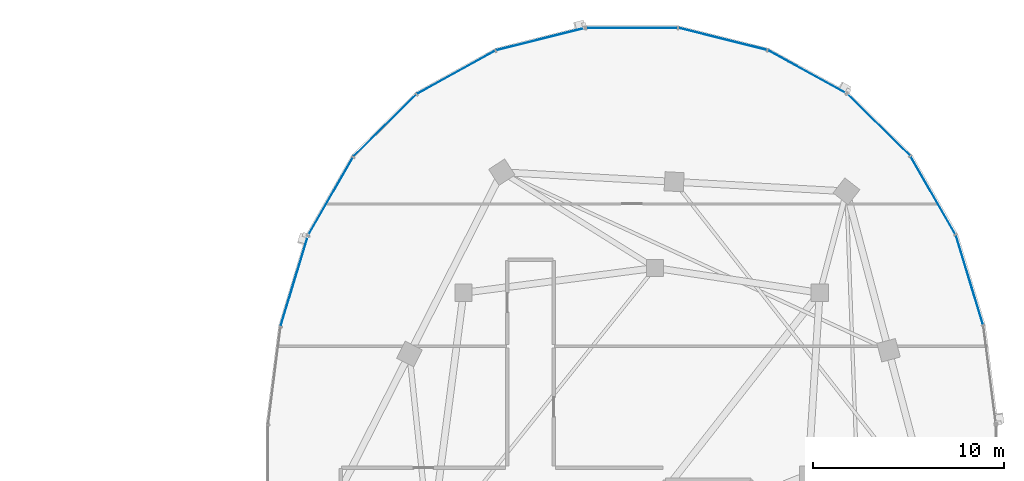
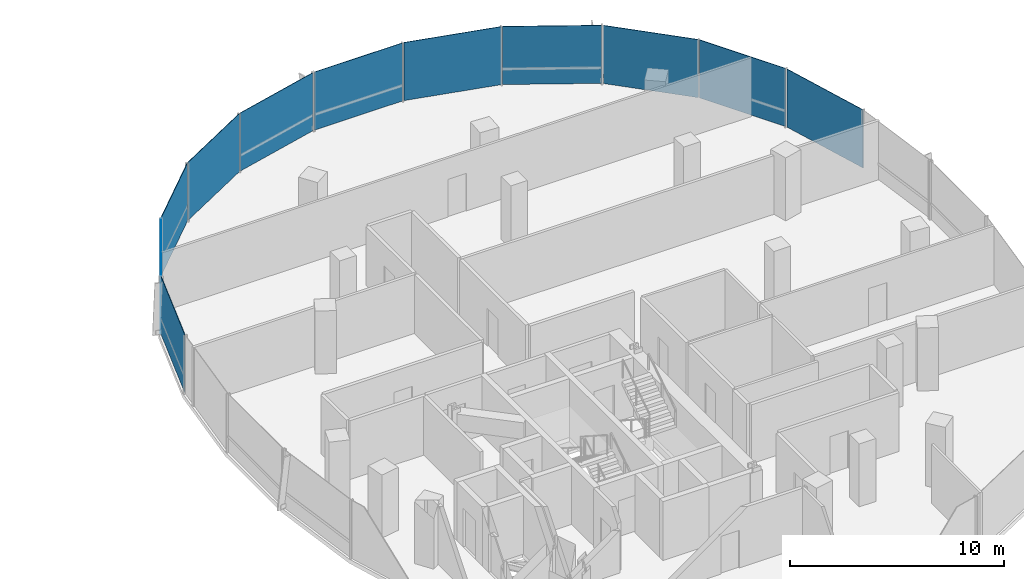
# One storey, part 11 of 23: 11 plates, 2 elements without a shape of their own.
"""IFC4 building model written with IfcOpenShell, lengths in metres."""

from ifc_helpers import new_model, si_unit, direction, frame, origin, origin_2d, place, context, subcontext, project, spatial, rectangle, extrude, material, layer, layer_set, type_object, element, aggregate, save


model = new_model("IFC4")

# Units and contexts
model_context = context("Model", 3, precision=1e-05, world=origin(), true_north=direction((0.0, 1.0)))
body_context = subcontext(model_context, "Body", "Model", "MODEL_VIEW")
ifc_project = project(units=[si_unit("LENGTHUNIT", "METRE"), si_unit("AREAUNIT", "SQUARE_METRE"), si_unit("VOLUMEUNIT", "CUBIC_METRE"), si_unit("PLANEANGLEUNIT", "RADIAN"), si_unit("MASSUNIT", "GRAM", prefix="KILO"), si_unit("THERMODYNAMICTEMPERATUREUNIT", "KELVIN"), si_unit("POWERUNIT", "WATT")], contexts=[model_context])

# Site, building, storey
site_placement = place(None, origin())
site = spatial("IfcSite", under=ifc_project, at=site_placement, CompositionType="ELEMENT")
building_placement = place(site_placement, origin())
building = spatial("IfcBuilding", under=site, at=building_placement, Name="Cundina Bronze Exchange", CompositionType="ELEMENT")
storey_placement = place(building_placement, frame((0.0, 0.0, 176.39990234375)))
storey = spatial("IfcBuildingStorey", under=building, at=storey_placement, Name="L46", CompositionType="ELEMENT", Elevation=176.39990234375)

# Curtain wall, plates
ifc_material_1 = material(Name="Anodised Bronze Aluminium 6063-T6", Category="aluminium")
curtain_wall_type = type_object("IfcCurtainWallType", Name="CWS-WST-PIN", PredefinedType="NOTDEFINED", material=ifc_material_1)
curtain_wall_1_placement = place(storey_placement, origin())
curtain_wall_1 = element("IfcCurtainWall", 1, at=curtain_wall_1_placement, inside=storey, type_object=curtain_wall_type, Name="L46 CW-04 Curtain Wall Run CWR-L46-E1", PredefinedType="NOTDEFINED")
ifc_material_2 = material(Name="Heat-Strengthened Solar-Control Bronze Safety Glass 28mm", Category="glass")
ifc_layer_1 = layer(ifc_material_2, 0.028076171875, Name="Heat-Strengthened Solar-Control Bronze Safety Glass 28mm", Category="glass")
ifc_layer_set_1 = layer_set([ifc_layer_1], Name="Heat-Strengthened Solar-Control Bronze Safety Glass 28mm")
plate_type_1 = type_object("IfcPlateType", Name="PLT-GLZ-VIS28", PredefinedType="CURTAIN_PANEL", material=ifc_layer_set_1)
plate_1_placement = place(storey_placement, frame((49.63330078125, 10.14208984375, 0.02001953125), z_axis=(0.0, 0.0, 1.0), x_axis=(-0.290050843957, 0.957011237092, 0.0)))
plate_1 = element("IfcPlate", 2, at=plate_1_placement, type_object=plate_type_1, Name="CW-04 Glazed Panel 2", PredefinedType="CURTAIN_PANEL", context=body_context, shape_type="SweptSolid", body=[
    extrude(rectangle(XDim=4.885009765625, YDim=0.028076171875, at=origin_2d()), origin(), (0.0, 0.0, 1.0), 3.320068359375),
])
plate_2_placement = place(storey_placement, frame((47.734375, 14.564697265625, 0.02001953125), z_axis=(0.0, 0.0, 1.0), x_axis=(-0.498487739754, 0.866896748936, 0.0)))
plate_2 = element("IfcPlate", 3, at=plate_2_placement, type_object=plate_type_1, Name="CW-04 Glazed Panel 3", PredefinedType="CURTAIN_PANEL", context=body_context, shape_type="SweptSolid", body=[
    extrude(rectangle(XDim=4.676513671875, YDim=0.028076171875, at=origin_2d()), origin(), (0.0, 0.0, 1.0), 3.320068359375),
])
plate_3_placement = place(storey_placement, frame((41.16845703125, 21.02880859375, 0.02001953125), z_axis=(0.0, 0.0, 1.0), x_axis=(-0.875869093438, 0.482548786301, 0.0)))
plate_3 = element("IfcPlate", 4, at=plate_3_placement, type_object=plate_type_1, Name="CW-04 Glazed Panel 5", PredefinedType="CURTAIN_PANEL", context=body_context, shape_type="SweptSolid", body=[
    extrude(rectangle(XDim=4.661865234375, YDim=0.028076171875, at=origin_2d()), origin(), (0.0, 0.0, 1.0), 3.320068359375),
])
plate_4_placement = place(storey_placement, frame((36.76513671875, 22.75244140625, 0.02001953125), z_axis=(0.0, 0.0, 1.0), x_axis=(-0.970092713791, 0.242734683656, 0.0)))
plate_4 = element("IfcPlate", 5, at=plate_4_placement, type_object=plate_type_1, Name="CW-04 Glazed Panel 6", PredefinedType="CURTAIN_PANEL", context=body_context, shape_type="SweptSolid", body=[
    extrude(rectangle(XDim=4.7548828125, YDim=0.028076171875, at=origin_2d()), origin(), (0.0, 0.0, 1.0), 3.320068359375),
])
plate_5_placement = place(storey_placement, frame((32.0, 23.3369140625, 0.02001953125), z_axis=(0.0, 0.0, 1.0), x_axis=(-1.0, 0.0, 0.0)))
plate_5 = element("IfcPlate", 6, at=plate_5_placement, type_object=plate_type_1, Name="CW-04 Glazed Panel 7", PredefinedType="CURTAIN_PANEL", context=body_context, shape_type="SweptSolid", body=[
    extrude(rectangle(XDim=4.7958984375, YDim=0.028076171875, at=origin_2d()), origin(), (0.0, 0.0, 1.0), 3.320068359375),
])

curtain_wall_2_placement = place(storey_placement, origin())
curtain_wall_2 = element("IfcCurtainWall", 7, at=curtain_wall_2_placement, inside=storey, type_object=curtain_wall_type, Name="L46 CW-04 Curtain Wall Run CWR-L46-E2", PredefinedType="NOTDEFINED")
plate_6_placement = place(storey_placement, frame((27.23486328125, 22.75244140625, 0.02001953125), z_axis=(0.0, 0.0, 1.0), x_axis=(-0.970092713791, -0.242734683656, 0.0)))
plate_6 = element("IfcPlate", 8, at=plate_6_placement, type_object=plate_type_1, Name="CW-04 Glazed Panel 1", PredefinedType="CURTAIN_PANEL", context=body_context, shape_type="SweptSolid", body=[
    extrude(rectangle(XDim=4.7548828125, YDim=0.028076171875, at=origin_2d()), origin(), (0.0, 0.0, 1.0), 3.320068359375),
])
plate_7_placement = place(storey_placement, frame((22.83154296875, 21.02880859375, 0.02001953125), z_axis=(0.0, 0.0, 1.0), x_axis=(-0.875869093438, -0.482548786301, 0.0)))
plate_7 = element("IfcPlate", 9, at=plate_7_placement, type_object=plate_type_1, Name="CW-04 Glazed Panel 2", PredefinedType="CURTAIN_PANEL", context=body_context, shape_type="SweptSolid", body=[
    extrude(rectangle(XDim=4.661865234375, YDim=0.028076171875, at=origin_2d()), origin(), (0.0, 0.0, 1.0), 3.320068359375),
])
plate_8_placement = place(storey_placement, frame((16.265625, 14.564697265625, 0.02001953125), z_axis=(0.0, 0.0, 1.0), x_axis=(-0.498487739754, -0.866896748936, 0.0)))
plate_8 = element("IfcPlate", 10, at=plate_8_placement, type_object=plate_type_1, Name="CW-04 Glazed Panel 4", PredefinedType="CURTAIN_PANEL", context=body_context, shape_type="SweptSolid", body=[
    extrude(rectangle(XDim=4.676513671875, YDim=0.028076171875, at=origin_2d()), origin(), (0.0, 0.0, 1.0), 3.320068359375),
])
plate_9_placement = place(storey_placement, frame((14.36669921875, 10.14208984375, 0.02001953125), z_axis=(0.0, 0.0, 1.0), x_axis=(-0.290050843957, -0.957011237092, 0.0)))
plate_9 = element("IfcPlate", 11, at=plate_9_placement, type_object=plate_type_1, Name="CW-04 Glazed Panel 5", PredefinedType="CURTAIN_PANEL", context=body_context, shape_type="SweptSolid", body=[
    extrude(rectangle(XDim=4.885009765625, YDim=0.028076171875, at=origin_2d()), origin(), (0.0, 0.0, 1.0), 3.320068359375),
])

# Plate
ifc_material_3 = material(Name="Dark Bronze Spandrel Glass Panel 32mm", Category="glass")
ifc_layer_2 = layer(ifc_material_3, 0.031982421875, Name="Dark Bronze Spandrel Glass Panel 32mm", Category="glass")
ifc_layer_set_2 = layer_set([ifc_layer_2], Name="Dark Bronze Spandrel Glass Panel 32mm")
plate_type_2 = type_object("IfcPlateType", Name="PLT-SPN-BRZ32", PredefinedType="CURTAIN_PANEL", material=ifc_layer_set_2)
plate_10_placement = place(storey_placement, frame((44.894775390625, 18.253662109375, 0.02001953125), z_axis=(0.0, 0.0, 1.0), x_axis=(-0.711989280367, 0.702190333629, 0.0)))
plate_10 = element("IfcPlate", 12, at=plate_10_placement, type_object=plate_type_2, Name="CW-04 Glazed Panel 4", PredefinedType="CURTAIN_PANEL", context=body_context, shape_type="SweptSolid", body=[
    extrude(rectangle(XDim=4.6025390625, YDim=0.031982421875, at=origin_2d()), origin(), (0.0, 0.0, 1.0), 3.320068359375),
])

aggregate(curtain_wall_1, [plate_1, plate_2, plate_10, plate_3, plate_4, plate_5])

plate_11_placement = place(storey_placement, frame((19.105224609375, 18.253662109375, 0.02001953125), z_axis=(0.0, 0.0, 1.0), x_axis=(-0.711989280367, -0.702190333629, 0.0)))
plate_11 = element("IfcPlate", 13, at=plate_11_placement, type_object=plate_type_2, Name="CW-04 Glazed Panel 3", PredefinedType="CURTAIN_PANEL", context=body_context, shape_type="SweptSolid", body=[
    extrude(rectangle(XDim=4.6025390625, YDim=0.031982421875, at=origin_2d()), origin(), (0.0, 0.0, 1.0), 3.320068359375),
])

aggregate(curtain_wall_2, [plate_6, plate_7, plate_11, plate_8, plate_9])

save(model, "model.ifc")
